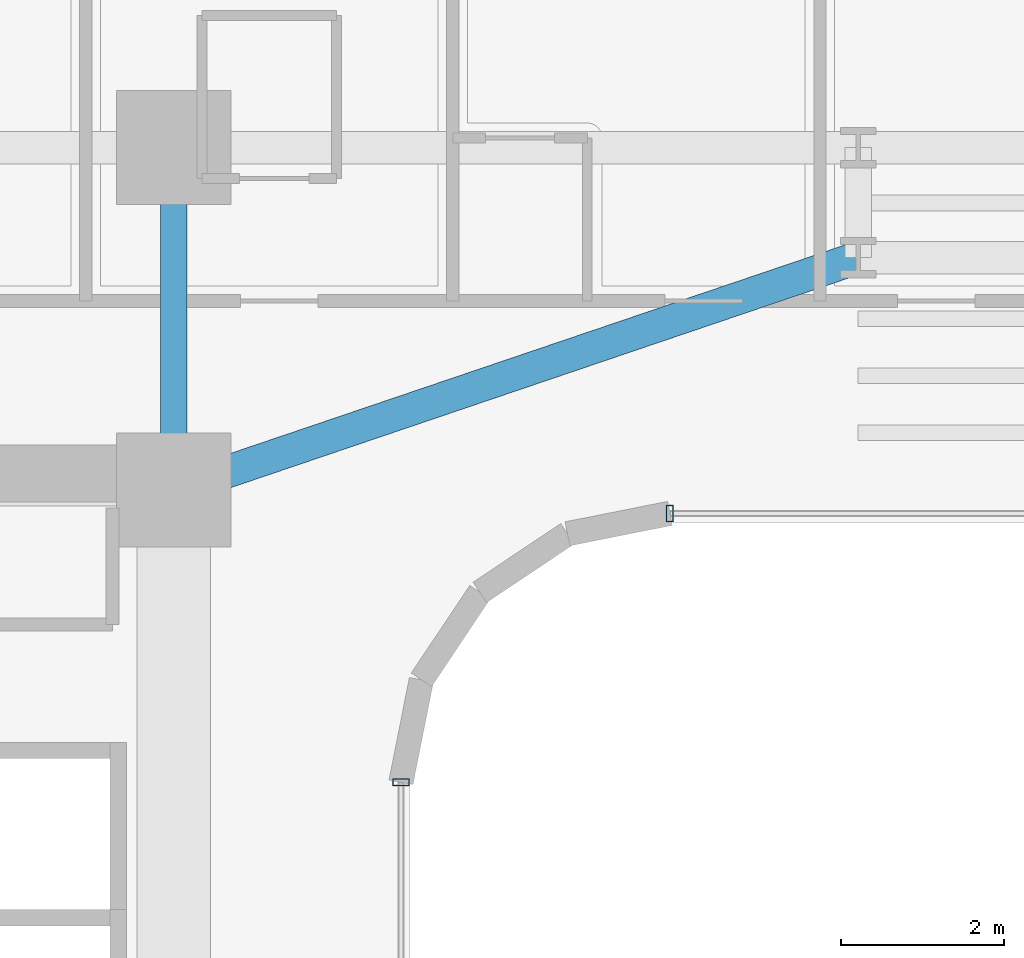
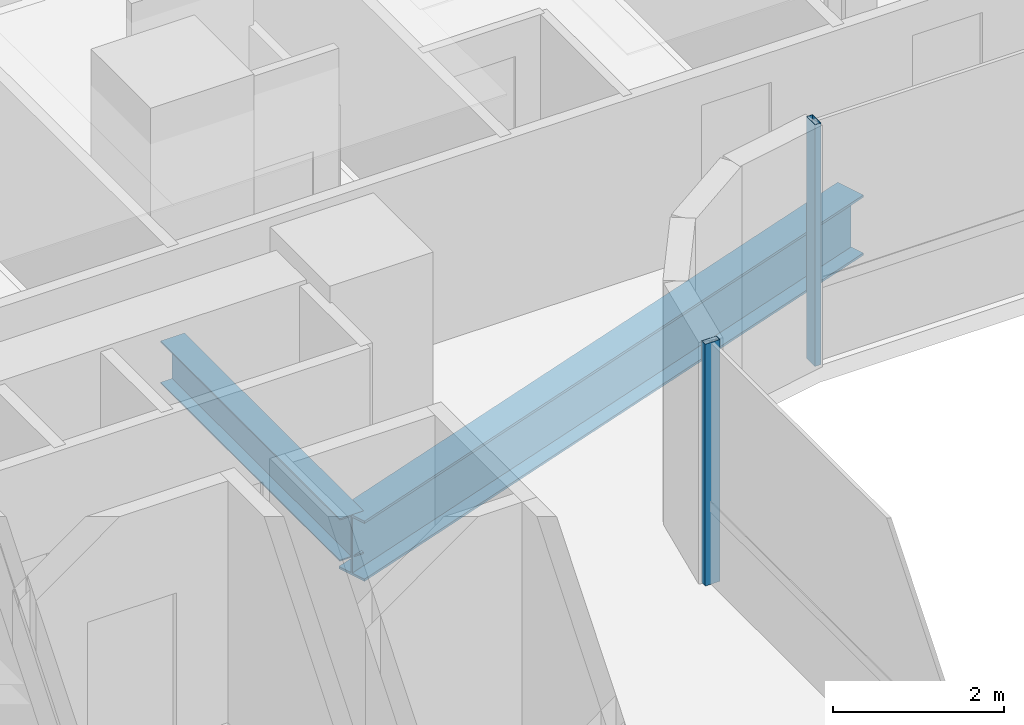
# One storey, part 12 of 42: 2 beams, 2 members, 2 elements without a shape of their own.
"""IFC4 building model written with IfcOpenShell, lengths in metres."""

from ifc_helpers import new_model, si_unit, direction, frame, origin, origin_2d, place, context, subcontext, project, spatial, hollow_rectangle, i_section, extrude, source, transform, mapped, material, material_profile, profile_set, type_object, element, aggregate, save


model = new_model("IFC4")

# Units and contexts
model_context = context("Model", 3, precision=1e-05, world=origin(), true_north=direction((0.0, 1.0)))
body_context = subcontext(model_context, "Body", "Model", "MODEL_VIEW")
ifc_project = project(units=[si_unit("LENGTHUNIT", "METRE"), si_unit("AREAUNIT", "SQUARE_METRE"), si_unit("VOLUMEUNIT", "CUBIC_METRE"), si_unit("PLANEANGLEUNIT", "RADIAN"), si_unit("MASSUNIT", "GRAM", prefix="KILO")], contexts=[model_context])

# Site, building, storey
site_placement = place(None, origin())
site = spatial("IfcSite", under=ifc_project, at=site_placement, CompositionType="ELEMENT")
building_placement = place(site_placement, origin())
building = spatial("IfcBuilding", under=site, at=building_placement, Name="Valdorenza Pilgrim Sanctuary Tower", CompositionType="ELEMENT")
storey_placement = place(building_placement, frame((0.0, 0.0, 29.699951171875)))
storey = spatial("IfcBuildingStorey", under=building, at=storey_placement, Name="L06", CompositionType="ELEMENT", Elevation=29.699951171875)

# Beams
ifc_material_1 = material(Name="Steel ASTM A992 Grade 50", Category="steel")
ifc_material_profile_1 = material_profile(ifc_material_1, i_section(OverallWidth=0.323974609375, OverallDepth=0.611083984375, WebThickness=0.0126953125, FlangeThickness=0.01904296875, at=origin_2d()), Name="W24X104")
ifc_profile_set_1 = profile_set([ifc_material_profile_1], Name="Steel ASTM A992 Grade 50")
beam_type_1 = type_object("IfcBeamType", Name="STR-BM-GRD-W24B", PredefinedType="BEAM", material=ifc_profile_set_1)
shared_shape_1 = source(origin(), body_context, "Body", "SweptSolid", [
    extrude(i_section(OverallWidth=0.323974609375, OverallDepth=0.611083984375, WebThickness=0.0126953125, FlangeThickness=0.01904296875, at=origin_2d()), origin(), (0.0, 0.0, 1.0), 4.199951171875),
])
beam_1_placement = place(storey_placement, frame((-12.39990234375, 10.60009765625, -0.54541015625), z_axis=(0.0, 1.0, 0.0), x_axis=(-1.0, 0.0, 0.0)))
element("IfcBeam", 1, at=beam_1_placement, inside=storey, type_object=beam_type_1, Name="L06 Core Tie Girder CA-E-N1N2", PredefinedType="BEAM", context=body_context, shape_type="MappedRepresentation", body=[
    mapped(shared_shape_1, transform((0.0, 0.0, 0.0), x_axis=(1.0, 0.0, 0.0), y_axis=(0.0, 1.0, 0.0), z_axis=(0.0, 0.0, 1.0), scale=1.0)),
])
ifc_material_profile_2 = material_profile(ifc_material_1, i_section(OverallWidth=0.39990234375, OverallDepth=0.862060546875, WebThickness=0.019775390625, FlangeThickness=0.032470703125, at=origin_2d()), Name="W33X221")
ifc_profile_set_2 = profile_set([ifc_material_profile_2], Name="Steel ASTM A992 Grade 50")
beam_type_2 = type_object("IfcBeamType", Name="STR-BM-GRD-W33", PredefinedType="BEAM", material=ifc_profile_set_2)
shared_shape_2 = source(origin(), body_context, "Body", "SweptSolid", [
    extrude(i_section(OverallWidth=0.39990234375, OverallDepth=0.862060546875, WebThickness=0.019775390625, FlangeThickness=0.032470703125, at=origin_2d()), origin(), (0.0, 0.0, 1.0), 8.8701171875),
])
beam_2_placement = place(storey_placement, frame((-12.39990234375, 10.60009765625, -0.6708984375), z_axis=(0.946982588361, 0.321284885018, 0.0), x_axis=(-0.321284885018, 0.946982588361, 0.0)))
element("IfcBeam", 2, at=beam_2_placement, inside=storey, type_object=beam_type_2, Name="L06 Floor Girder KNK-G1", PredefinedType="BEAM", context=body_context, shape_type="MappedRepresentation", body=[
    mapped(shared_shape_2, transform((0.0, 0.0, 0.0), x_axis=(1.0, 0.0, 0.0), y_axis=(0.0, 1.0, 0.0), z_axis=(0.0, 0.0, 1.0), scale=1.0)),
])

# Curtain wall, member
ifc_material_2 = material(Name="Curtain-wall IGU glazing", Category="glass")
curtain_wall_type = type_object("IfcCurtainWallType", Name="CW-SYS-02", PredefinedType="NOTDEFINED", material=ifc_material_2)
curtain_wall_1_placement = place(storey_placement, origin())
curtain_wall_1 = element("IfcCurtainWall", 3, at=curtain_wall_1_placement, inside=storey, type_object=curtain_wall_type, Name="L06 Curtain Wall CW-L06-1-36", PredefinedType="NOTDEFINED")
ifc_material_3 = material(Name="Anodised aluminium AW-6060", Category="aluminium")
ifc_material_profile_3 = material_profile(ifc_material_3, hollow_rectangle(XDim=0.0849609375, YDim=0.199951171875, WallThickness=0.0048828125, at=origin_2d()), Name="ALU-M 200x85x5")
ifc_profile_set_3 = profile_set([ifc_material_profile_3], Name="Anodised aluminium AW-6060")
member_type = type_object("IfcMemberType", Name="CW-MUL-02", PredefinedType="MULLION", material=ifc_profile_set_3)
shared_shape_3 = source(origin(), body_context, "Body", "SweptSolid", [
    extrude(hollow_rectangle(XDim=0.0849609375, YDim=0.199951171875, WallThickness=0.0048828125, at=origin_2d()), origin(), (0.0, 0.0, 1.0), 3.4599609375),
])
member_1_placement = place(storey_placement, frame((-6.310791015625, 10.31005859375, 0.0), z_axis=(0.0, 0.0, 1.0), x_axis=(-1.0, 0.0, 0.0)))
member_1 = element("IfcMember", 4, at=member_1_placement, type_object=member_type, Name="CW-L06-1-36 Mullion 4", PredefinedType="MULLION", context=body_context, shape_type="MappedRepresentation", body=[
    mapped(shared_shape_3, transform((0.0, 0.0, 0.0), x_axis=(1.0, 0.0, 0.0), y_axis=(0.0, 1.0, 0.0), z_axis=(0.0, 0.0, 1.0), scale=1.0)),
])
aggregate(curtain_wall_1, [member_1])

curtain_wall_2_placement = place(storey_placement, origin())
curtain_wall_2 = element("IfcCurtainWall", 5, at=curtain_wall_2_placement, inside=storey, type_object=curtain_wall_type, Name="L06 Curtain Wall CW-L06-1-41", PredefinedType="NOTDEFINED")
member_2_placement = place(storey_placement, frame((-9.610107421875, 7.0107421875, 0.0), z_axis=(0.0, 0.0, 1.0), x_axis=(0.0, -1.0, 0.0)))
member_2 = element("IfcMember", 6, at=member_2_placement, type_object=member_type, Name="CW-L06-1-41 Mullion 1", PredefinedType="MULLION", context=body_context, shape_type="MappedRepresentation", body=[
    mapped(shared_shape_3, transform((0.0, 0.0, 0.0), x_axis=(1.0, 0.0, 0.0), y_axis=(0.0, 1.0, 0.0), z_axis=(0.0, 0.0, 1.0), scale=1.0)),
])
aggregate(curtain_wall_2, [member_2])

save(model, "model.ifc")
